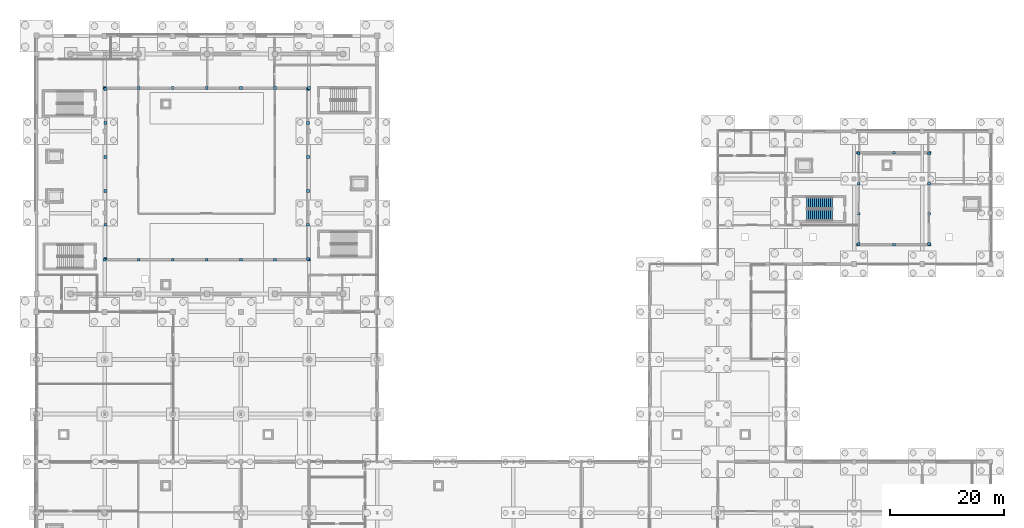
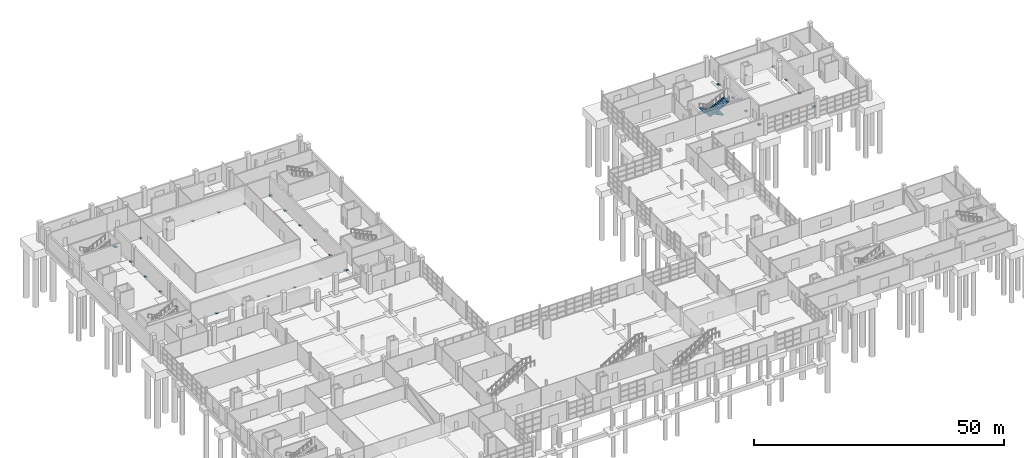
# One storey, part 67 of 82: 40 discrete accessories, 2 stair flights, 1 element without a shape of its own.
"""IFC4 building model written with IfcOpenShell, lengths in metres."""

import ifcopenshell
import ifcopenshell.guid

model = None  # the IFC model being written
_history = None  # IfcOwnerHistory: only IFC2X3 demands one
_inside = {}  # id of a spatial element -> (the spatial element, [elements in it])
_under = {}  # id of a project, library or spatial element -> (it, [spatial elements below it])
_declared = {}  # id of a project -> (the project, [libraries it declares])
_typed = {}  # id of a type object -> (the type object, [elements of that type])
_made_of = {}  # id of a material, layer set ... -> (it, [elements and type objects made of it])


def new_model(schema):
    """Start an empty IFC model of exactly this schema.

    Asked for "IFC4X3", IfcOpenShell would pick the latest addendum, in which some entities
    have other attributes; the version numbers below select the first issue.
    IFC2X3 requires an IfcOwnerHistory on every rooted entity: one is made here for all.
    """
    global model, _history
    if schema == "IFC4X3":
        model = ifcopenshell.file(schema_version=(4, 3, 0, 0))
    else:
        model = ifcopenshell.file(schema=schema)
    _inside.clear()
    _under.clear()
    _declared.clear()
    _typed.clear()
    _made_of.clear()
    _history = None
    if model.schema == "IFC2X3":
        org = make("IfcOrganization", Name="unknown")
        user = make(
            "IfcPersonAndOrganization",
            ThePerson=make("IfcPerson", FamilyName="unknown"),
            TheOrganization=org,
        )
        app = make(
            "IfcApplication",
            ApplicationDeveloper=org,
            Version="unknown",
            ApplicationFullName="unknown",
            ApplicationIdentifier="unknown",
        )
        _history = make(
            "IfcOwnerHistory",
            OwningUser=user,
            OwningApplication=app,
            ChangeAction="ADDED",
            CreationDate=0,
        )
    return model


def make(cls, **values):
    """One entity of the class cls with the attributes given. An attribute that is None is left unset."""
    return model.create_entity(
        cls, **{name: value for name, value in values.items() if value is not None}
    )


def rooted(cls, **values):
    """An entity with a GlobalId (a new one), such as an element, a storey or a relation."""
    return make(cls, GlobalId=ifcopenshell.guid.new(), OwnerHistory=_history, **values)


def si_unit(unit_type, name, prefix=None):
    """IfcSIUnit, for example si_unit("LENGTHUNIT", "METRE", prefix="MILLI")."""
    return make("IfcSIUnit", UnitType=unit_type, Prefix=prefix, Name=name)


def assignment(units):
    """IfcUnitAssignment: the units of a project."""
    return None if units is None else make("IfcUnitAssignment", Units=units)


def point(xyz):
    """IfcCartesianPoint."""
    return None if xyz is None else make("IfcCartesianPoint", Coordinates=xyz)


def direction(xyz):
    """IfcDirection."""
    return None if xyz is None else make("IfcDirection", DirectionRatios=xyz)


def frame(location, z_axis=None, x_axis=None):
    """IfcAxis2Placement3D, a coordinate frame: its origin and axes. An axis left out is left unset."""
    return make(
        "IfcAxis2Placement3D",
        Location=point(location),
        Axis=direction(z_axis),
        RefDirection=direction(x_axis),
    )


def frame_2d(location, x_axis=None):
    """IfcAxis2Placement2D, a coordinate frame in the plane: its origin and x axis."""
    return make(
        "IfcAxis2Placement2D", Location=point(location), RefDirection=direction(x_axis)
    )


def origin():
    """The frame at (0, 0, 0) with its axes left unset."""
    return frame((0.0, 0.0, 0.0))


def origin_2d():
    """The frame at (0, 0) in the plane with its x axis left unset."""
    return frame_2d((0.0, 0.0))


def place(relative_to, where):
    """IfcLocalPlacement: puts the frame where relative to a parent placement (None: the world)."""
    return make(
        "IfcLocalPlacement", PlacementRelTo=relative_to, RelativePlacement=where
    )


def context(
    kind, dimensions, precision=None, world=None, true_north=None, identifier=None
):
    """IfcGeometricRepresentationContext, for example the 3D "Model" context."""
    return make(
        "IfcGeometricRepresentationContext",
        ContextIdentifier=identifier,
        ContextType=kind,
        CoordinateSpaceDimension=dimensions,
        Precision=precision,
        WorldCoordinateSystem=world,
        TrueNorth=true_north,
    )


def subcontext(parent, identifier, kind, view, scale=None):
    """IfcGeometricRepresentationSubContext, for example "Body" below "Model"."""
    return make(
        "IfcGeometricRepresentationSubContext",
        ContextIdentifier=identifier,
        ContextType=kind,
        ParentContext=parent,
        TargetScale=scale,
        TargetView=view,
    )


def project(units=None, contexts=None):
    """IfcProject with its units and contexts."""
    return rooted(
        "IfcProject",
        Name="project",
        RepresentationContexts=contexts,
        UnitsInContext=assignment(units),
    )


def spatial(cls, under=None, at=None, **own):
    """A site, building, storey or space (cls), placed at a placement, below another one or the project."""
    s = rooted(cls, ObjectPlacement=at, **own)
    if under is not None:
        _under.setdefault(under.id(), (under, []))[1].append(s)
    return s


def polyline(points):
    """IfcPolyline through the points."""
    return make("IfcPolyline", Points=[point(p) for p in points])


def profile(cls, at=None, kind="AREA", **sizes):
    """A parametric profile (cls). Its sizes go by their IFC names, for example OverallWidth=200.0."""
    return make(cls, ProfileType=kind, Position=at, **sizes)


def rectangle(**sizes):
    """IfcRectangleProfileDef."""
    return profile("IfcRectangleProfileDef", **sizes)


def outline(outer, holes=None, kind="AREA"):
    """IfcArbitraryClosedProfileDef: a profile drawn as a closed curve; with holes, ...WithVoids."""
    if holes is None:
        return make("IfcArbitraryClosedProfileDef", ProfileType=kind, OuterCurve=outer)
    return make(
        "IfcArbitraryProfileDefWithVoids",
        ProfileType=kind,
        OuterCurve=outer,
        InnerCurves=holes,
    )


def extrude(swept, where, along, depth):
    """IfcExtrudedAreaSolid: the profile swept, set in the frame where, extruded along a direction by depth."""
    return make(
        "IfcExtrudedAreaSolid",
        SweptArea=swept,
        Position=where,
        ExtrudedDirection=direction(along),
        Depth=depth,
    )


def shape(context_of_items, identifier, shape_type, items):
    """IfcShapeRepresentation: the items that make up one representation, for example the "Body"."""
    return make(
        "IfcShapeRepresentation",
        ContextOfItems=context_of_items,
        RepresentationIdentifier=identifier,
        RepresentationType=shape_type,
        Items=items,
    )


def material(Name=None, Category=None):
    """IfcMaterial."""
    return make("IfcMaterial", Name=Name, Category=Category)


def layer(
    of_material, thickness, ventilated=None, Name=None, Category=None, Priority=None
):
    """IfcMaterialLayer: one layer of a wall or slab, of a material (None: an air gap)."""
    return make(
        "IfcMaterialLayer",
        Material=of_material,
        LayerThickness=thickness,
        IsVentilated=ventilated,
        Name=Name,
        Category=Category,
        Priority=Priority,
    )


def layer_set(layers, Name=None):
    """IfcMaterialLayerSet."""
    return make("IfcMaterialLayerSet", MaterialLayers=layers, LayerSetName=Name)


def made_of(thing, what):
    """Note that an element or type object is made of a material, layer set ...; save() writes the relation."""
    if what is not None:
        _made_of.setdefault(what.id(), (what, []))[1].append(thing)
    return thing


def type_object(cls, material=None, **own):
    """A type object (cls), such as IfcWallType, which elements share."""
    return made_of(rooted(cls, **own), material)


def element(
    cls,
    number,
    at=None,
    inside=None,
    cuts=None,
    type_object=None,
    material=None,
    context=None,
    identifier="Body",
    shape_type=None,
    held_by="IfcProductDefinitionShape",
    body=None,
    shapes=None,
    **own,
):
    """One element of the class cls, such as IfcWall. Its Tag is "e" and its number.

    at: its placement. inside: the storey or other place that contains it. cuts: it is an
    opening in that element (IfcRelVoidsElement). A single representation is given by context,
    identifier, shape_type and body (its items); several are given by shapes. held_by: the class
    of the entity that holds the representations. save() writes the other relations.
    """
    e = rooted(cls, Tag="e%d" % number, ObjectPlacement=at, **own)
    if body is not None:
        shapes = [shape(context, identifier, shape_type, body)]
    if shapes is not None:
        e.Representation = make(held_by, Representations=shapes)
    if inside is not None:
        _inside.setdefault(inside.id(), (inside, []))[1].append(e)
    if cuts is not None:
        rooted(
            "IfcRelVoidsElement", RelatingBuildingElement=cuts, RelatedOpeningElement=e
        )
    if type_object is not None:
        _typed.setdefault(type_object.id(), (type_object, []))[1].append(e)
    return made_of(e, material)


def aggregate(whole, parts):
    """IfcRelAggregates: a whole, such as a stair, and the parts it consists of."""
    return rooted("IfcRelAggregates", RelatingObject=whole, RelatedObjects=parts)


def save(model, path):
    """Write the relations noted so far, then the file.

    IfcRelAggregates (storeys below a building ...), IfcRelContainedInSpatialStructure (elements
    in a storey), IfcRelDefinesByType, IfcRelAssociatesMaterial and IfcRelDeclares: one each for
    every whole, place, type object, material and project.
    """
    for whole, parts in _under.values():
        aggregate(whole, parts)
    for where, things in _inside.values():
        rooted(
            "IfcRelContainedInSpatialStructure",
            RelatedElements=things,
            RelatingStructure=where,
        )
    for kind, things in _typed.values():
        rooted("IfcRelDefinesByType", RelatedObjects=things, RelatingType=kind)
    for what, things in _made_of.values():
        rooted("IfcRelAssociatesMaterial", RelatedObjects=things, RelatingMaterial=what)
    for by, libraries in _declared.values():
        rooted("IfcRelDeclares", RelatingContext=by, RelatedDefinitions=libraries)
    model.write(path)


model = new_model("IFC4")

# Units and contexts
model_context = context("Model", 3, precision=1e-05, world=origin(), true_north=direction((0.0, 1.0)))
body_context = subcontext(model_context, "Body", "Model", "MODEL_VIEW")
ifc_project = project(units=[si_unit("LENGTHUNIT", "METRE"), si_unit("AREAUNIT", "SQUARE_METRE"), si_unit("VOLUMEUNIT", "CUBIC_METRE"), si_unit("PLANEANGLEUNIT", "RADIAN"), si_unit("MASSUNIT", "GRAM", prefix="KILO")], contexts=[model_context])

# Site, building, storey
site_placement = place(None, origin())
site = spatial("IfcSite", under=ifc_project, at=site_placement, CompositionType="ELEMENT")
building_placement = place(site_placement, origin())
building = spatial("IfcBuilding", under=site, at=building_placement, Name="Kelmvaro Bay Concert Hall", CompositionType="ELEMENT")
storey_placement = place(building_placement, origin())
storey = spatial("IfcBuildingStorey", under=building, at=storey_placement, Name="L00", CompositionType="ELEMENT", Elevation=0.0)

# Stair, stair flights
ifc_material_1 = material(Name="Concrete C40/50", Category="concrete")
stair_type = type_object("IfcStairType", Name="Core Dogleg Exit Stair 2020", PredefinedType="USERDEFINED", material=ifc_material_1)
stair_placement = place(storey_placement, origin())
stair = element("IfcStair", 1, at=stair_placement, inside=storey, type_object=stair_type, Name="L00 Exit Stair ST-07", ObjectType="TWO_RETURN_STAIR", PredefinedType="USERDEFINED")
ifc_material_2 = material(Name="Precast Concrete C40/50", Category="concrete")
stair_flight_type = type_object("IfcStairFlightType", Name="Precast Concrete Core Stair Flight 2020", PredefinedType="STRAIGHT", material=ifc_material_2)
stair_flight_1_placement = place(storey_placement, frame((140.199951171875, 84.60009765625, 0.0), z_axis=(0.0, 0.0, 1.0), x_axis=(-1.0, 0.0, 0.0)))
stair_flight_1 = element("IfcStairFlight", 2, at=stair_flight_1_placement, type_object=stair_flight_type, Name="ST-07 flight 1", NumberOfRisers=14, NumberOfTreads=13, PredefinedType="STRAIGHT", RiserHeight=0.171428571, TreadLength=0.35, context=body_context, shape_type="SweptSolid", body=[
    extrude(outline(polyline([(0.0, 0.0), (0.0, 0.17138671875), (0.35009765625, 0.17138671875), (0.35009765625, 0.3427734375), (0.699951171875, 0.3427734375), (0.699951171875, 0.514404296875), (1.050048828125, 0.514404296875), (1.050048828125, 0.685791015625), (1.39990234375, 0.685791015625), (1.39990234375, 0.857177734375), (1.75, 0.857177734375), (1.75, 1.028564453125), (2.10009765625, 1.028564453125), (2.10009765625, 1.199951171875), (2.449951171875, 1.199951171875), (2.449951171875, 1.371337890625), (2.800048828125, 1.371337890625), (2.800048828125, 1.54296875), (3.14990234375, 1.54296875), (3.14990234375, 1.71435546875), (3.5, 1.71435546875), (3.5, 1.8857421875), (3.85009765625, 1.8857421875), (3.85009765625, 2.05712890625), (4.199951171875, 2.05712890625), (4.199951171875, 2.228515625), (4.550048828125, 2.228515625), (4.550048828125, 2.39990234375), (4.550048828125, 2.061767578125), (0.3408203125, 0.0), (0.0, 0.0)])), frame((0.0, 1.0, 0.0), z_axis=(0.0, -1.0, 0.0), x_axis=(1.0, 0.0, 0.0)), (0.0, 0.0, 1.0), 2.0),
])
stair_flight_2_placement = place(storey_placement, frame((135.64990234375, 82.449951171875, 2.39990234375), z_axis=(0.0, 0.0, 1.0), x_axis=(1.0, 0.0, 0.0)))
stair_flight_2 = element("IfcStairFlight", 3, at=stair_flight_2_placement, type_object=stair_flight_type, Name="ST-07 flight 2", NumberOfRisers=14, NumberOfTreads=13, PredefinedType="STRAIGHT", RiserHeight=0.171428571, TreadLength=0.35, context=body_context, shape_type="SweptSolid", body=[
    extrude(outline(polyline([(0.0, 0.0), (0.0, 0.17138671875), (0.35009765625, 0.17138671875), (0.35009765625, 0.3427734375), (0.699951171875, 0.3427734375), (0.699951171875, 0.514404296875), (1.050048828125, 0.514404296875), (1.050048828125, 0.685791015625), (1.39990234375, 0.685791015625), (1.39990234375, 0.857177734375), (1.75, 0.857177734375), (1.75, 1.028564453125), (2.10009765625, 1.028564453125), (2.10009765625, 1.199951171875), (2.449951171875, 1.199951171875), (2.449951171875, 1.371337890625), (2.800048828125, 1.371337890625), (2.800048828125, 1.54296875), (3.14990234375, 1.54296875), (3.14990234375, 1.71435546875), (3.5, 1.71435546875), (3.5, 1.8857421875), (3.85009765625, 1.8857421875), (3.85009765625, 2.05712890625), (4.199951171875, 2.05712890625), (4.199951171875, 2.228515625), (4.550048828125, 2.228515625), (4.550048828125, 2.39990234375), (4.550048828125, 2.061767578125), (0.3408203125, 0.0), (0.0, 0.0)])), frame((0.0, 1.0, 0.0), z_axis=(0.0, -1.0, 0.0), x_axis=(1.0, 0.0, 0.0)), (0.0, 0.0, 1.0), 2.0),
])
aggregate(stair, [stair_flight_1, stair_flight_2])

# Discrete accessories
ifc_material_3 = material(Name="Steel-Laminated Neoprene Elastomer", Category="steel")
ifc_layer = layer(ifc_material_3, 0.179931640625)
ifc_layer_set = layer_set([ifc_layer], Name="Steel-Laminated Neoprene Elastomer")
discrete_accessory_type = type_object("IfcDiscreteAccessoryType", Name="Elastomeric Acoustic Isolation Bearing 500x500x180", PredefinedType="BRACKET", material=ifc_layer_set)
for number, where, z_axis, x_axis, name in (
    (4, (12.0048828125, 74.580078125, -0.08984375), (0.0, 0.0, 1.0), (1.0, 0.0, 0.0), "Elastomeric acoustic isolation bearing V1-001"),
    (5, (18.00341796875, 74.580078125, -0.08984375), (0.0, 0.0, 1.0), (1.0, 0.0, 0.0), "Elastomeric acoustic isolation bearing V1-002"),
    (6, (24.001708984375, 74.580078125, -0.08984375), (0.0, 0.0, 1.0), (1.0, 0.0, 0.0), "Elastomeric acoustic isolation bearing V1-003"),
    (7, (30.0, 74.580078125, -0.08984375), (0.0, 0.0, 1.0), (1.0, 0.0, 0.0), "Elastomeric acoustic isolation bearing V1-004"),
    (8, (35.998291015625, 74.580078125, -0.08984375), (0.0, 0.0, 1.0), (1.0, 0.0, 0.0), "Elastomeric acoustic isolation bearing V1-005"),
    (9, (41.99658203125, 74.580078125, -0.08984375), (0.0, 0.0, 1.0), (1.0, 0.0, 0.0), "Elastomeric acoustic isolation bearing V1-006"),
    (10, (47.9951171875, 74.580078125, -0.08984375), (0.0, 0.0, 1.0), (1.0, 0.0, 0.0), "Elastomeric acoustic isolation bearing V1-007"),
    (11, (12.0048828125, 104.820068359375, -0.08984375), (0.0, 0.0, 1.0), (1.0, 0.0, 0.0), "Elastomeric acoustic isolation bearing V1-008"),
    (12, (18.00341796875, 104.820068359375, -0.08984375), (0.0, 0.0, 1.0), (1.0, 0.0, 0.0), "Elastomeric acoustic isolation bearing V1-009"),
    (13, (24.001708984375, 104.820068359375, -0.08984375), (0.0, 0.0, 1.0), (1.0, 0.0, 0.0), "Elastomeric acoustic isolation bearing V1-010"),
    (14, (30.0, 104.820068359375, -0.08984375), (0.0, 0.0, 1.0), (1.0, 0.0, 0.0), "Elastomeric acoustic isolation bearing V1-011"),
    (15, (35.998291015625, 104.820068359375, -0.08984375), (0.0, 0.0, 1.0), (1.0, 0.0, 0.0), "Elastomeric acoustic isolation bearing V1-012"),
    (16, (41.99658203125, 104.820068359375, -0.08984375), (0.0, 0.0, 1.0), (1.0, 0.0, 0.0), "Elastomeric acoustic isolation bearing V1-013"),
    (17, (47.9951171875, 104.820068359375, -0.08984375), (0.0, 0.0, 1.0), (1.0, 0.0, 0.0), "Elastomeric acoustic isolation bearing V1-014"),
    (18, (12.179931640625, 74.7548828125, -0.08984375), (0.0, 0.0, 1.0), (1.0, 0.0, 0.0), "Elastomeric acoustic isolation bearing V1-015"),
    (19, (12.179931640625, 80.73291015625, -0.08984375), (0.0, 0.0, 1.0), (1.0, 0.0, 0.0), "Elastomeric acoustic isolation bearing V1-016"),
    (20, (12.179931640625, 86.7109375, -0.08984375), (0.0, 0.0, 1.0), (1.0, 0.0, 0.0), "Elastomeric acoustic isolation bearing V1-017"),
    (21, (12.179931640625, 92.68896484375, -0.08984375), (0.0, 0.0, 1.0), (1.0, 0.0, 0.0), "Elastomeric acoustic isolation bearing V1-018"),
    (22, (12.179931640625, 98.6669921875, -0.08984375), (0.0, 0.0, 1.0), (1.0, 0.0, 0.0), "Elastomeric acoustic isolation bearing V1-019"),
    (23, (12.179931640625, 104.64501953125, -0.08984375), (0.0, 0.0, 1.0), (1.0, 0.0, 0.0), "Elastomeric acoustic isolation bearing V1-020"),
    (24, (47.820068359375, 74.7548828125, -0.08984375), (0.0, 0.0, 1.0), (1.0, 0.0, 0.0), "Elastomeric acoustic isolation bearing V1-021"),
    (25, (47.820068359375, 80.73291015625, -0.08984375), (0.0, 0.0, 1.0), (1.0, 0.0, 0.0), "Elastomeric acoustic isolation bearing V1-022"),
    (26, (47.820068359375, 86.7109375, -0.08984375), (0.0, 0.0, 1.0), (1.0, 0.0, 0.0), "Elastomeric acoustic isolation bearing V1-023"),
    (27, (47.820068359375, 92.68896484375, -0.08984375), (0.0, 0.0, 1.0), (1.0, 0.0, 0.0), "Elastomeric acoustic isolation bearing V1-024"),
    (28, (47.820068359375, 98.6669921875, -0.08984375), (0.0, 0.0, 1.0), (1.0, 0.0, 0.0), "Elastomeric acoustic isolation bearing V1-025"),
    (29, (47.820068359375, 104.64501953125, -0.08984375), (0.0, 0.0, 1.0), (1.0, 0.0, 0.0), "Elastomeric acoustic isolation bearing V1-026"),
    (30, (144.6650390625, 77.219970703125, -0.08984375), (0.0, 0.0, 1.0), (1.0, 0.0, 0.0), "Elastomeric acoustic isolation bearing V2-027"),
    (31, (151.0, 77.219970703125, -0.08984375), (0.0, 0.0, 1.0), (1.0, 0.0, 0.0), "Elastomeric acoustic isolation bearing V2-028"),
    (32, (157.3349609375, 77.219970703125, -0.08984375), (0.0, 0.0, 1.0), (1.0, 0.0, 0.0), "Elastomeric acoustic isolation bearing V2-029"),
    (33, (144.6650390625, 93.419921875, -0.08984375), (0.0, 0.0, 1.0), (1.0, 0.0, 0.0), "Elastomeric acoustic isolation bearing V2-030"),
    (34, (151.0, 93.419921875, -0.08984375), (0.0, 0.0, 1.0), (1.0, 0.0, 0.0), "Elastomeric acoustic isolation bearing V2-031"),
    (35, (157.3349609375, 93.419921875, -0.08984375), (0.0, 0.0, 1.0), (1.0, 0.0, 0.0), "Elastomeric acoustic isolation bearing V2-032"),
    (36, (144.820068359375, 77.375, -0.08984375), (0.0, 0.0, 1.0), (1.0, 0.0, 0.0), "Elastomeric acoustic isolation bearing V2-033"),
    (37, (144.820068359375, 82.671630859375, -0.08984375), (0.0, 0.0, 1.0), (1.0, 0.0, 0.0), "Elastomeric acoustic isolation bearing V2-034"),
    (38, (144.820068359375, 87.96826171875, -0.08984375), (0.0, 0.0, 1.0), (1.0, 0.0, 0.0), "Elastomeric acoustic isolation bearing V2-035"),
    (39, (144.820068359375, 93.264892578125, -0.08984375), (0.0, 0.0, 1.0), (1.0, 0.0, 0.0), "Elastomeric acoustic isolation bearing V2-036"),
    (40, (157.179931640625, 77.375, -0.08984375), (0.0, 0.0, 1.0), (1.0, 0.0, 0.0), "Elastomeric acoustic isolation bearing V2-037"),
    (41, (157.179931640625, 82.671630859375, -0.08984375), (0.0, 0.0, 1.0), (1.0, 0.0, 0.0), "Elastomeric acoustic isolation bearing V2-038"),
    (42, (157.179931640625, 87.96826171875, -0.08984375), (0.0, 0.0, 1.0), (1.0, 0.0, 0.0), "Elastomeric acoustic isolation bearing V2-039"),
    (43, (157.179931640625, 93.264892578125, -0.08984375), (0.0, 0.0, 1.0), (1.0, 0.0, 0.0), "Elastomeric acoustic isolation bearing V2-040"),
):
    element("IfcDiscreteAccessory", number, at=place(storey_placement, frame(where, z_axis=z_axis, x_axis=x_axis)), inside=storey, type_object=discrete_accessory_type, Name=name, PredefinedType="BRACKET", context=body_context, shape_type="SweptSolid", body=[
        extrude(rectangle(XDim=0.5, YDim=0.5, at=origin_2d()), origin(), (0.0, 0.0, 1.0), 0.179931640625),
    ])

save(model, "model.ifc")
